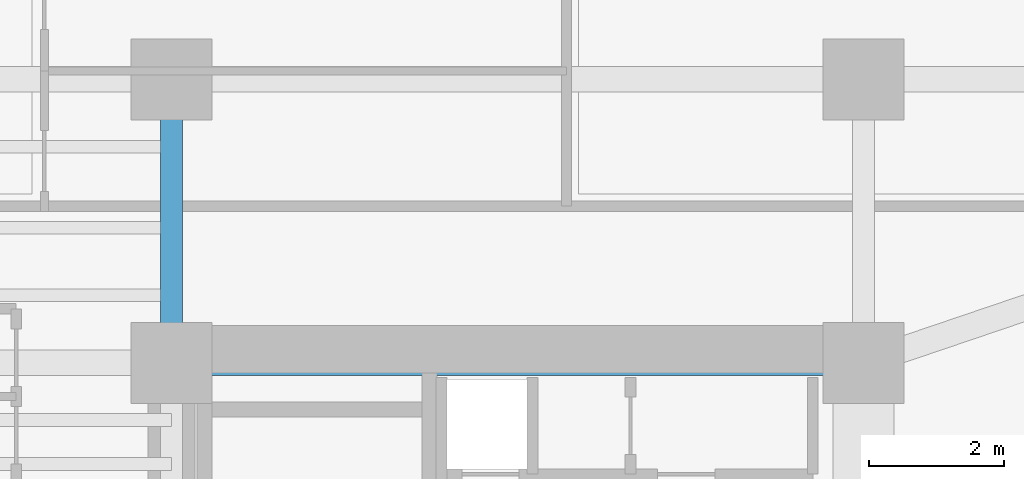
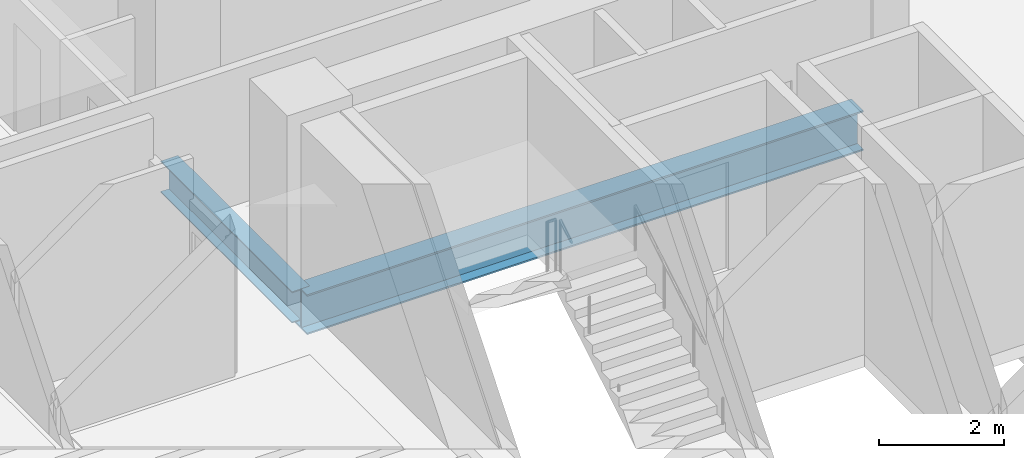
# One storey, part 9 of 35: 2 beams.
"""IFC4 building model written with IfcOpenShell, lengths in metres."""

from ifc_helpers import new_model, si_unit, direction, frame, origin, origin_2d, place, context, subcontext, project, spatial, i_section, extrude, source, transform, mapped, material, material_profile, profile_set, type_object, element, save


model = new_model("IFC4")

# Units and contexts
model_context = context("Model", 3, precision=1e-05, world=origin(), true_north=direction((0.0, 1.0)))
body_context = subcontext(model_context, "Body", "Model", "MODEL_VIEW")
ifc_project = project(units=[si_unit("LENGTHUNIT", "METRE"), si_unit("AREAUNIT", "SQUARE_METRE"), si_unit("VOLUMEUNIT", "CUBIC_METRE"), si_unit("PLANEANGLEUNIT", "RADIAN"), si_unit("MASSUNIT", "GRAM", prefix="KILO")], contexts=[model_context])

# Site, building, storey
site_placement = place(None, origin())
site = spatial("IfcSite", under=ifc_project, at=site_placement, CompositionType="ELEMENT")
building_placement = place(site_placement, origin())
building = spatial("IfcBuilding", under=site, at=building_placement, Name="Valdorenza Pilgrim Sanctuary Tower", CompositionType="ELEMENT")
storey_placement = place(building_placement, frame((0.0, 0.0, 150.10009765625)))
storey = spatial("IfcBuildingStorey", under=building, at=storey_placement, Name="L38", CompositionType="ELEMENT", Elevation=150.10009765625)

# Beams
ifc_material = material(Name="Steel ASTM A992 Grade 50", Category="steel")
ifc_material_profile_1 = material_profile(ifc_material, i_section(OverallWidth=0.323974609375, OverallDepth=0.611083984375, WebThickness=0.0126953125, FlangeThickness=0.01904296875, at=origin_2d()), Name="W24X104")
ifc_profile_set_1 = profile_set([ifc_material_profile_1], Name="Steel ASTM A992 Grade 50")
beam_type_1 = type_object("IfcBeamType", Name="STR-BM-GRD-W24B", PredefinedType="BEAM", material=ifc_profile_set_1)
shared_shape_1 = source(origin(), body_context, "Body", "SweptSolid", [
    extrude(i_section(OverallWidth=0.323974609375, OverallDepth=0.611083984375, WebThickness=0.0126953125, FlangeThickness=0.01904296875, at=origin_2d()), origin(), (0.0, 0.0, 1.0), 4.199951171875),
])
beam_1_placement = place(storey_placement, frame((-22.64990234375, 10.60009765625, -0.545654296875), z_axis=(0.0, 1.0, 0.0), x_axis=(-1.0, 0.0, 0.0)))
element("IfcBeam", 1, at=beam_1_placement, inside=storey, type_object=beam_type_1, Name="L38 Core Tie Girder CA-W-N1N2", PredefinedType="BEAM", context=body_context, shape_type="MappedRepresentation", body=[
    mapped(shared_shape_1, transform((0.0, 0.0, 0.0), x_axis=(1.0, 0.0, 0.0), y_axis=(0.0, 1.0, 0.0), z_axis=(0.0, 0.0, 1.0), scale=1.0)),
])
ifc_material_profile_2 = material_profile(ifc_material, i_section(OverallWidth=0.382080078125, OverallDepth=0.779052734375, WebThickness=0.01806640625, FlangeThickness=0.030029296875, at=origin_2d()), Name="W30X191")
ifc_profile_set_2 = profile_set([ifc_material_profile_2], Name="Steel ASTM A992 Grade 50")
beam_type_2 = type_object("IfcBeamType", Name="STR-BM-GRD-W30", PredefinedType="BEAM", material=ifc_profile_set_2)
shared_shape_2 = source(origin(), body_context, "Body", "SweptSolid", [
    extrude(i_section(OverallWidth=0.382080078125, OverallDepth=0.779052734375, WebThickness=0.01806640625, FlangeThickness=0.030029296875, at=origin_2d()), origin(), (0.0, 0.0, 1.0), 10.25),
])
beam_2_placement = place(storey_placement, frame((-22.64990234375, 10.60009765625, -0.629638671875), z_axis=(1.0, 0.0, 0.0), x_axis=(0.0, 1.0, 0.0)))
element("IfcBeam", 2, at=beam_2_placement, inside=storey, type_object=beam_type_2, Name="L38 Floor Girder CA-XC-N1", PredefinedType="BEAM", context=body_context, shape_type="MappedRepresentation", body=[
    mapped(shared_shape_2, transform((0.0, 0.0, 0.0), x_axis=(1.0, 0.0, 0.0), y_axis=(0.0, 1.0, 0.0), z_axis=(0.0, 0.0, 1.0), scale=1.0)),
])

save(model, "model.ifc")
